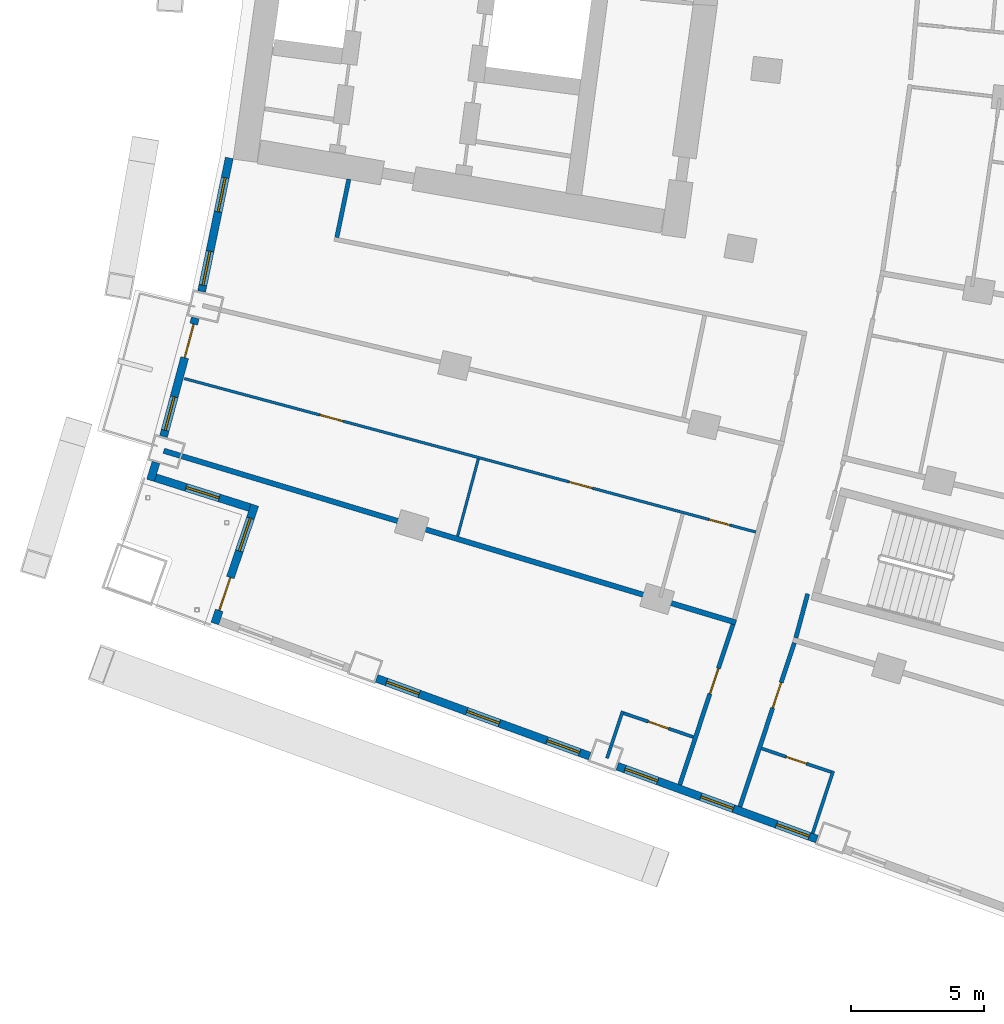
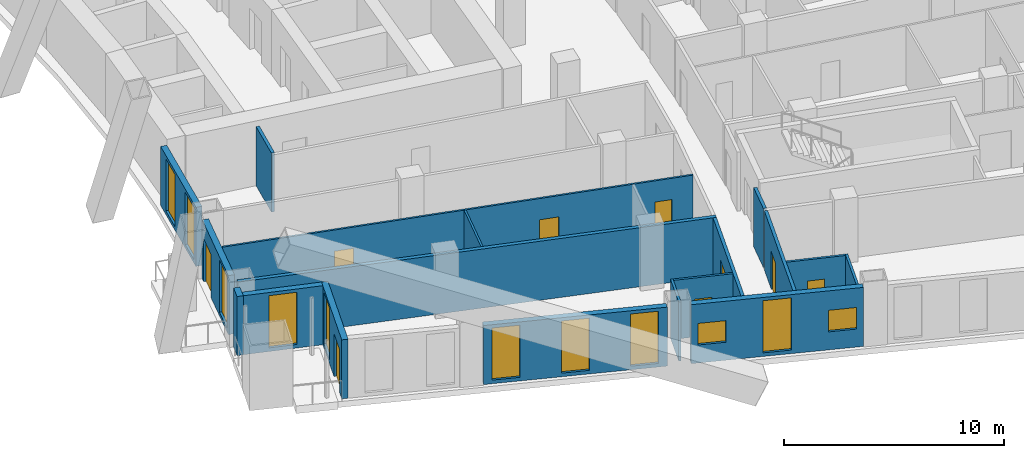
# One storey, part 13 of 25: 18 walls, 11 windows, 9 doors, 20 openings.
"""IFC4 building model written with IfcOpenShell, lengths in metres."""

import ifcopenshell
import ifcopenshell.guid

model = None  # the IFC model being written
_history = None  # IfcOwnerHistory: only IFC2X3 demands one
_inside = {}  # id of a spatial element -> (the spatial element, [elements in it])
_under = {}  # id of a project, library or spatial element -> (it, [spatial elements below it])
_declared = {}  # id of a project -> (the project, [libraries it declares])
_typed = {}  # id of a type object -> (the type object, [elements of that type])
_made_of = {}  # id of a material, layer set ... -> (it, [elements and type objects made of it])


def new_model(schema):
    """Start an empty IFC model of exactly this schema.

    Asked for "IFC4X3", IfcOpenShell would pick the latest addendum, in which some entities
    have other attributes; the version numbers below select the first issue.
    IFC2X3 requires an IfcOwnerHistory on every rooted entity: one is made here for all.
    """
    global model, _history
    if schema == "IFC4X3":
        model = ifcopenshell.file(schema_version=(4, 3, 0, 0))
    else:
        model = ifcopenshell.file(schema=schema)
    _inside.clear()
    _under.clear()
    _declared.clear()
    _typed.clear()
    _made_of.clear()
    _history = None
    if model.schema == "IFC2X3":
        org = make("IfcOrganization", Name="unknown")
        user = make(
            "IfcPersonAndOrganization",
            ThePerson=make("IfcPerson", FamilyName="unknown"),
            TheOrganization=org,
        )
        app = make(
            "IfcApplication",
            ApplicationDeveloper=org,
            Version="unknown",
            ApplicationFullName="unknown",
            ApplicationIdentifier="unknown",
        )
        _history = make(
            "IfcOwnerHistory",
            OwningUser=user,
            OwningApplication=app,
            ChangeAction="ADDED",
            CreationDate=0,
        )
    return model


def make(cls, **values):
    """One entity of the class cls with the attributes given. An attribute that is None is left unset."""
    return model.create_entity(
        cls, **{name: value for name, value in values.items() if value is not None}
    )


def rooted(cls, **values):
    """An entity with a GlobalId (a new one), such as an element, a storey or a relation."""
    return make(cls, GlobalId=ifcopenshell.guid.new(), OwnerHistory=_history, **values)


def si_unit(unit_type, name, prefix=None):
    """IfcSIUnit, for example si_unit("LENGTHUNIT", "METRE", prefix="MILLI")."""
    return make("IfcSIUnit", UnitType=unit_type, Prefix=prefix, Name=name)


def assignment(units):
    """IfcUnitAssignment: the units of a project."""
    return None if units is None else make("IfcUnitAssignment", Units=units)


def point(xyz):
    """IfcCartesianPoint."""
    return None if xyz is None else make("IfcCartesianPoint", Coordinates=xyz)


def direction(xyz):
    """IfcDirection."""
    return None if xyz is None else make("IfcDirection", DirectionRatios=xyz)


def frame(location, z_axis=None, x_axis=None):
    """IfcAxis2Placement3D, a coordinate frame: its origin and axes. An axis left out is left unset."""
    return make(
        "IfcAxis2Placement3D",
        Location=point(location),
        Axis=direction(z_axis),
        RefDirection=direction(x_axis),
    )


def frame_2d(location, x_axis=None):
    """IfcAxis2Placement2D, a coordinate frame in the plane: its origin and x axis."""
    return make(
        "IfcAxis2Placement2D", Location=point(location), RefDirection=direction(x_axis)
    )


def origin():
    """The frame at (0, 0, 0) with its axes left unset."""
    return frame((0.0, 0.0, 0.0))


def place(relative_to, where):
    """IfcLocalPlacement: puts the frame where relative to a parent placement (None: the world)."""
    return make(
        "IfcLocalPlacement", PlacementRelTo=relative_to, RelativePlacement=where
    )


def context(
    kind, dimensions, precision=None, world=None, true_north=None, identifier=None
):
    """IfcGeometricRepresentationContext, for example the 3D "Model" context."""
    return make(
        "IfcGeometricRepresentationContext",
        ContextIdentifier=identifier,
        ContextType=kind,
        CoordinateSpaceDimension=dimensions,
        Precision=precision,
        WorldCoordinateSystem=world,
        TrueNorth=true_north,
    )


def subcontext(parent, identifier, kind, view, scale=None):
    """IfcGeometricRepresentationSubContext, for example "Body" below "Model"."""
    return make(
        "IfcGeometricRepresentationSubContext",
        ContextIdentifier=identifier,
        ContextType=kind,
        ParentContext=parent,
        TargetScale=scale,
        TargetView=view,
    )


def project(units=None, contexts=None):
    """IfcProject with its units and contexts."""
    return rooted(
        "IfcProject",
        Name="project",
        RepresentationContexts=contexts,
        UnitsInContext=assignment(units),
    )


def spatial(cls, under=None, at=None, **own):
    """A site, building, storey or space (cls), placed at a placement, below another one or the project."""
    s = rooted(cls, ObjectPlacement=at, **own)
    if under is not None:
        _under.setdefault(under.id(), (under, []))[1].append(s)
    return s


def profile(cls, at=None, kind="AREA", **sizes):
    """A parametric profile (cls). Its sizes go by their IFC names, for example OverallWidth=200.0."""
    return make(cls, ProfileType=kind, Position=at, **sizes)


def rectangle(**sizes):
    """IfcRectangleProfileDef."""
    return profile("IfcRectangleProfileDef", **sizes)


def extrude(swept, where, along, depth):
    """IfcExtrudedAreaSolid: the profile swept, set in the frame where, extruded along a direction by depth."""
    return make(
        "IfcExtrudedAreaSolid",
        SweptArea=swept,
        Position=where,
        ExtrudedDirection=direction(along),
        Depth=depth,
    )


def shape(context_of_items, identifier, shape_type, items):
    """IfcShapeRepresentation: the items that make up one representation, for example the "Body"."""
    return make(
        "IfcShapeRepresentation",
        ContextOfItems=context_of_items,
        RepresentationIdentifier=identifier,
        RepresentationType=shape_type,
        Items=items,
    )


def material(Name=None, Category=None):
    """IfcMaterial."""
    return make("IfcMaterial", Name=Name, Category=Category)


def layer(
    of_material, thickness, ventilated=None, Name=None, Category=None, Priority=None
):
    """IfcMaterialLayer: one layer of a wall or slab, of a material (None: an air gap)."""
    return make(
        "IfcMaterialLayer",
        Material=of_material,
        LayerThickness=thickness,
        IsVentilated=ventilated,
        Name=Name,
        Category=Category,
        Priority=Priority,
    )


def layer_set(layers, Name=None):
    """IfcMaterialLayerSet."""
    return make("IfcMaterialLayerSet", MaterialLayers=layers, LayerSetName=Name)


def made_of(thing, what):
    """Note that an element or type object is made of a material, layer set ...; save() writes the relation."""
    if what is not None:
        _made_of.setdefault(what.id(), (what, []))[1].append(thing)
    return thing


def type_object(cls, material=None, **own):
    """A type object (cls), such as IfcWallType, which elements share."""
    return made_of(rooted(cls, **own), material)


def element(
    cls,
    number,
    at=None,
    inside=None,
    cuts=None,
    type_object=None,
    material=None,
    context=None,
    identifier="Body",
    shape_type=None,
    held_by="IfcProductDefinitionShape",
    body=None,
    shapes=None,
    **own,
):
    """One element of the class cls, such as IfcWall. Its Tag is "e" and its number.

    at: its placement. inside: the storey or other place that contains it. cuts: it is an
    opening in that element (IfcRelVoidsElement). A single representation is given by context,
    identifier, shape_type and body (its items); several are given by shapes. held_by: the class
    of the entity that holds the representations. save() writes the other relations.
    """
    e = rooted(cls, Tag="e%d" % number, ObjectPlacement=at, **own)
    if body is not None:
        shapes = [shape(context, identifier, shape_type, body)]
    if shapes is not None:
        e.Representation = make(held_by, Representations=shapes)
    if inside is not None:
        _inside.setdefault(inside.id(), (inside, []))[1].append(e)
    if cuts is not None:
        rooted(
            "IfcRelVoidsElement", RelatingBuildingElement=cuts, RelatedOpeningElement=e
        )
    if type_object is not None:
        _typed.setdefault(type_object.id(), (type_object, []))[1].append(e)
    return made_of(e, material)


def fill(opening, filler):
    """IfcRelFillsElement: the door or window that sits in an opening."""
    return rooted(
        "IfcRelFillsElement",
        RelatingOpeningElement=opening,
        RelatedBuildingElement=filler,
    )


def aggregate(whole, parts):
    """IfcRelAggregates: a whole, such as a stair, and the parts it consists of."""
    return rooted("IfcRelAggregates", RelatingObject=whole, RelatedObjects=parts)


def save(model, path):
    """Write the relations noted so far, then the file.

    IfcRelAggregates (storeys below a building ...), IfcRelContainedInSpatialStructure (elements
    in a storey), IfcRelDefinesByType, IfcRelAssociatesMaterial and IfcRelDeclares: one each for
    every whole, place, type object, material and project.
    """
    for whole, parts in _under.values():
        aggregate(whole, parts)
    for where, things in _inside.values():
        rooted(
            "IfcRelContainedInSpatialStructure",
            RelatedElements=things,
            RelatingStructure=where,
        )
    for kind, things in _typed.values():
        rooted("IfcRelDefinesByType", RelatedObjects=things, RelatingType=kind)
    for what, things in _made_of.values():
        rooted("IfcRelAssociatesMaterial", RelatedObjects=things, RelatingMaterial=what)
    for by, libraries in _declared.values():
        rooted("IfcRelDeclares", RelatingContext=by, RelatedDefinitions=libraries)
    model.write(path)


model = new_model("IFC4")

# Units and contexts
model_context = context("Model", 3, precision=1e-05, world=origin(), true_north=direction((0.0, 1.0)))
body_context = subcontext(model_context, "Body", "Model", "MODEL_VIEW")
ifc_project = project(units=[si_unit("LENGTHUNIT", "METRE"), si_unit("AREAUNIT", "SQUARE_METRE"), si_unit("VOLUMEUNIT", "CUBIC_METRE"), si_unit("PLANEANGLEUNIT", "RADIAN"), si_unit("MASSUNIT", "GRAM", prefix="KILO")], contexts=[model_context])

# Site, building, storey
site_placement = place(None, origin())
site = spatial("IfcSite", under=ifc_project, at=site_placement, CompositionType="ELEMENT")
building_placement = place(site_placement, origin())
building = spatial("IfcBuilding", under=site, at=building_placement, Name="Alderwake Tower", CompositionType="ELEMENT")
storey_placement = place(building_placement, frame((0.0, 0.0, 42.800048828125)))
storey = spatial("IfcBuildingStorey", under=building, at=storey_placement, Name="L09", CompositionType="ELEMENT", Elevation=42.800048828125)

# Wall
ifc_material_1 = material(Name="Gypsum board on metal studs, rated")
ifc_layer_1 = layer(ifc_material_1, 0.159912109375)
ifc_layer_set_1 = layer_set([ifc_layer_1], Name="Corridor wall 160")
wall_type_1 = type_object("IfcWallType", Name="Corridor wall 160", PredefinedType="PARTITIONING", material=ifc_layer_set_1)
wall_1_placement = place(storey_placement, frame((19.35888671875, 43.430908203125, 0.0), z_axis=(0.0, 0.0, 1.0), x_axis=(-0.202554916658, -0.979270905183, 0.0)))
element("IfcWall", 1, at=wall_1_placement, inside=storey, type_object=wall_type_1, Name="WL/L09/W17", PredefinedType="PARTITIONING", context=body_context, shape_type="SweptSolid", body=[
    extrude(rectangle(XDim=2.229736328125, YDim=0.159912109375, at=frame_2d((1.11474609375, 0.0))), origin(), (0.0, 0.0, 1.0), 3.280029296875),
])

# Wall, opening, door
wall_2_placement = place(storey_placement, frame((31.7548828125, 20.739013671875, 0.0), z_axis=(0.0, 0.0, 1.0), x_axis=(0.31554473692, 0.948910701279, 0.0)))
wall_2 = element("IfcWall", 2, at=wall_2_placement, inside=storey, type_object=wall_type_1, Name="WL/L09/W19", PredefinedType="PARTITIONING", context=body_context, shape_type="SweptSolid", body=[
    extrude(rectangle(XDim=6.327392578125, YDim=0.159912109375, at=frame_2d((3.16357421875, 0.0))), origin(), (0.0, 0.0, 1.0), 3.280029296875),
])
opening_1_placement = place(wall_2_placement, frame((3.59130859375, 0.0, 0.0)))
opening_1 = element("IfcOpeningElement", 3, at=opening_1_placement, cuts=wall_2, Name="Opening R02-U11.1", PredefinedType="OPENING", context=body_context, shape_type="SweptSolid", body=[
    extrude(rectangle(XDim=1.0, YDim=2.10009765625, at=frame_2d((0.5, 1.050048828125))), frame((0.0, 0.08984375, 0.0), z_axis=(0.0, -1.0, 0.0), x_axis=(1.0, 0.0, 0.0)), (0.0, 0.0, 1.0), 0.179931640625),
])
ifc_material_2 = material(Name="Solid timber leaf in steel frame", Category="steel")
door_type_1 = type_object("IfcDoorType", Name="Flat entrance door 1000 fire-rated", OperationType="SINGLE_SWING_LEFT", PredefinedType="DOOR", material=ifc_material_2)
door_1_placement = place(opening_1_placement, origin())
door_1 = element("IfcDoor", 4, at=door_1_placement, inside=storey, type_object=door_type_1, Name="DR/L09/U11.1", OperationType="SINGLE_SWING_LEFT", OverallHeight=2.10009765625, OverallWidth=1.0, PredefinedType="DOOR", context=body_context, shape_type="SweptSolid", body=[
    extrude(rectangle(XDim=1.0, YDim=2.10009765625, at=frame_2d((0.5, 1.050048828125))), frame((0.0, 0.02490234375, 0.0), z_axis=(0.0, -1.0, 0.0), x_axis=(1.0, 0.0, 0.0)), (0.0, 0.0, 1.0), 0.050048828125),
])
fill(opening_1, door_1)

wall_3_placement = place(storey_placement, frame((36.049560546875, 26.052978515625, 0.0), z_axis=(0.0, 0.0, 1.0), x_axis=(-0.315151894598, -0.949041244273, 0.0)))
wall_3 = element("IfcWall", 5, at=wall_3_placement, inside=storey, type_object=wall_type_1, Name="WL/L09/W22", PredefinedType="PARTITIONING", context=body_context, shape_type="SweptSolid", body=[
    extrude(rectangle(XDim=6.468505859375, YDim=0.159912109375, at=frame_2d((3.234375, 0.0))), origin(), (0.0, 0.0, 1.0), 3.280029296875),
])
opening_2_placement = place(wall_3_placement, frame((1.570068359375, 0.0, 0.0)))
opening_2 = element("IfcOpeningElement", 6, at=opening_2_placement, cuts=wall_3, Name="Opening R02-U03.1", PredefinedType="OPENING", context=body_context, shape_type="SweptSolid", body=[
    extrude(rectangle(XDim=1.0, YDim=2.10009765625, at=frame_2d((0.5, 1.050048828125))), frame((0.0, 0.08984375, 0.0), z_axis=(0.0, -1.0, 0.0), x_axis=(1.0, 0.0, 0.0)), (0.0, 0.0, 1.0), 0.179931640625),
])
door_2_placement = place(opening_2_placement, origin())
door_2 = element("IfcDoor", 7, at=door_2_placement, inside=storey, type_object=door_type_1, Name="DR/L09/U03.1", OperationType="SINGLE_SWING_LEFT", OverallHeight=2.10009765625, OverallWidth=1.0, PredefinedType="DOOR", context=body_context, shape_type="SweptSolid", body=[
    extrude(rectangle(XDim=1.0, YDim=2.10009765625, at=frame_2d((0.5, 1.050048828125))), frame((0.0, 0.02490234375, 0.0), z_axis=(0.0, -1.0, 0.0), x_axis=(1.0, 0.0, 0.0)), (0.0, 0.0, 1.0), 0.050048828125),
])
fill(opening_2, door_2)

# Walls
wall_4_placement = place(storey_placement, frame((36.10693359375, 26.24462890625, 0.0), z_axis=(0.0, 0.0, 1.0), x_axis=(0.259346865847, 0.965784242559, 0.0)))
element("IfcWall", 8, at=wall_4_placement, inside=storey, type_object=wall_type_1, Name="WL/L09/W25", PredefinedType="PARTITIONING", context=body_context, shape_type="SweptSolid", body=[
    extrude(rectangle(XDim=1.704833984375, YDim=0.159912109375, at=frame_2d((0.8525390625, 0.0))), origin(), (0.0, 0.0, 1.0), 3.280029296875),
])
ifc_material_3 = material(Name="Precast concrete C50/60 spandrel panel", Category="concrete")
ifc_layer_2 = layer(ifc_material_3, 0.300048828125)
ifc_layer_set_2 = layer_set([ifc_layer_2], Name="External wall EW1 Precast concrete C50/60 spandrel")
wall_type_2 = type_object("IfcWallType", Name="External wall EW1 Precast concrete C50/60 spandrel", PredefinedType="SOLIDWALL", material=ifc_layer_set_2)
wall_5_placement = place(storey_placement, frame((12.1328125, 32.814453125, 0.0), z_axis=(0.0, 0.0, 1.0), x_axis=(-0.294671831364, -0.955598509731, 0.0)))
element("IfcWall", 9, at=wall_5_placement, inside=storey, type_object=wall_type_2, Name="External wall 1", PredefinedType="SOLIDWALL", context=body_context, shape_type="SweptSolid", body=[
    extrude(rectangle(XDim=0.70263671875, YDim=0.300048828125, at=frame_2d((0.351318359375, 0.0))), origin(), (0.0, 0.0, 1.0), 3.280029296875),
])

# Wall, openings, windows
wall_6_placement = place(storey_placement, frame((14.878173828125, 44.223388671875, 0.0), z_axis=(0.0, 0.0, 1.0), x_axis=(-0.202738354746, -0.979232944459, 0.0)))
wall_6 = element("IfcWall", 10, at=wall_6_placement, inside=storey, type_object=wall_type_2, Name="External wall 35", PredefinedType="SOLIDWALL", context=body_context, shape_type="SweptSolid", body=[
    extrude(rectangle(XDim=5.1083984375, YDim=0.300048828125, at=frame_2d((2.55419921875, 0.0))), origin(), (0.0, 0.0, 1.0), 3.280029296875),
])
opening_3_placement = place(wall_6_placement, frame((0.75634765625, 0.0, 0.199951171875)))
opening_3 = element("IfcOpeningElement", 11, at=opening_3_placement, cuts=wall_6, Name="Opening W1", PredefinedType="OPENING", context=body_context, shape_type="SweptSolid", body=[
    extrude(rectangle(XDim=1.300048828125, YDim=2.89990234375, at=frame_2d((0.64990234375, 1.449951171875))), frame((0.0, 0.159912109375, 0.0), z_axis=(0.0, -1.0, 0.0), x_axis=(1.0, 0.0, 0.0)), (0.0, 0.0, 1.0), 0.320068359375),
])
opening_4_placement = place(wall_6_placement, frame((3.569091796875, 0.0, 0.199951171875)))
opening_4 = element("IfcOpeningElement", 12, at=opening_4_placement, cuts=wall_6, Name="Opening W1", PredefinedType="OPENING", context=body_context, shape_type="SweptSolid", body=[
    extrude(rectangle(XDim=1.300048828125, YDim=2.89990234375, at=frame_2d((0.64990234375, 1.449951171875))), frame((0.0, 0.159912109375, 0.0), z_axis=(0.0, -1.0, 0.0), x_axis=(1.0, 0.0, 0.0)), (0.0, 0.0, 1.0), 0.320068359375),
])
ifc_material_4 = material(Name="Bronze tinted glass in aluminium frame", Category="aluminium")
window_type_1 = type_object("IfcWindowType", Name="Window W1 tall fixed and vent", PartitioningType="DOUBLE_PANEL_VERTICAL", PredefinedType="WINDOW", material=ifc_material_4)
window_1_placement = place(opening_3_placement, origin())
window_1 = element("IfcWindow", 13, at=window_1_placement, inside=storey, type_object=window_type_1, Name="Window W1 tall fixed and vent", OverallHeight=2.89990234375, OverallWidth=1.300048828125, PartitioningType="DOUBLE_PANEL_VERTICAL", PredefinedType="WINDOW", context=body_context, shape_type="SweptSolid", body=[
    extrude(rectangle(XDim=1.300048828125, YDim=2.89990234375, at=frame_2d((0.64990234375, 1.449951171875))), frame((0.0, 0.030029296875, 0.0), z_axis=(0.0, -1.0, 0.0), x_axis=(1.0, 0.0, 0.0)), (0.0, 0.0, 1.0), 0.06005859375),
])
fill(opening_3, window_1)
window_2_placement = place(opening_4_placement, origin())
window_2 = element("IfcWindow", 14, at=window_2_placement, inside=storey, type_object=window_type_1, Name="Window W1 tall fixed and vent", OverallHeight=2.89990234375, OverallWidth=1.300048828125, PartitioningType="DOUBLE_PANEL_VERTICAL", PredefinedType="WINDOW", context=body_context, shape_type="SweptSolid", body=[
    extrude(rectangle(XDim=1.300048828125, YDim=2.89990234375, at=frame_2d((0.64990234375, 1.449951171875))), frame((0.0, 0.030029296875, 0.0), z_axis=(0.0, -1.0, 0.0), x_axis=(1.0, 0.0, 0.0)), (0.0, 0.0, 1.0), 0.06005859375),
])
fill(opening_4, window_2)

# Wall, openings, door, window
wall_7_placement = place(storey_placement, frame((13.606689453125, 38.229248046875, 0.0), z_axis=(0.0, 0.0, 1.0), x_axis=(-0.259495671332, -0.965744270788, 0.0)))
wall_7 = element("IfcWall", 15, at=wall_7_placement, inside=storey, type_object=wall_type_2, Name="External wall 36", PredefinedType="SOLIDWALL", context=body_context, shape_type="SweptSolid", body=[
    extrude(rectangle(XDim=4.599609375, YDim=0.300048828125, at=frame_2d((2.2998046875, 0.0))), origin(), (0.0, 0.0, 1.0), 3.280029296875),
])
opening_5_placement = place(wall_7_placement, frame((0.2412109375, 0.0, 0.0)))
opening_5 = element("IfcOpeningElement", 16, at=opening_5_placement, cuts=wall_7, Name="Opening D16", PredefinedType="OPENING", context=body_context, shape_type="SweptSolid", body=[
    extrude(rectangle(XDim=1.300048828125, YDim=2.39990234375, at=frame_2d((0.64990234375, 1.199951171875))), frame((0.0, 0.159912109375, 0.0), z_axis=(0.0, -1.0, 0.0), x_axis=(1.0, 0.0, 0.0)), (0.0, 0.0, 1.0), 0.320068359375),
])
opening_6_placement = place(wall_7_placement, frame((3.058349609375, 0.0, 0.199951171875)))
opening_6 = element("IfcOpeningElement", 17, at=opening_6_placement, cuts=wall_7, Name="Opening W1", PredefinedType="OPENING", context=body_context, shape_type="SweptSolid", body=[
    extrude(rectangle(XDim=1.300048828125, YDim=2.89990234375, at=frame_2d((0.64990234375, 1.449951171875))), frame((0.0, 0.159912109375, 0.0), z_axis=(0.0, -1.0, 0.0), x_axis=(1.0, 0.0, 0.0)), (0.0, 0.0, 1.0), 0.320068359375),
])
ifc_material_5 = material(Name="Bronze tinted glass in aluminium frame", Category="aluminium")
door_type_2 = type_object("IfcDoorType", Name="Balcony door BD sliding", OperationType="SLIDING_TO_LEFT", PredefinedType="DOOR", material=ifc_material_5)
door_3_placement = place(opening_5_placement, origin())
door_3 = element("IfcDoor", 18, at=door_3_placement, inside=storey, type_object=door_type_2, Name="Door D16", OperationType="SLIDING_TO_LEFT", OverallHeight=2.39990234375, OverallWidth=1.300048828125, PredefinedType="DOOR", context=body_context, shape_type="SweptSolid", body=[
    extrude(rectangle(XDim=1.300048828125, YDim=2.39990234375, at=frame_2d((0.64990234375, 1.199951171875))), frame((0.0, 0.02490234375, 0.0), z_axis=(0.0, -1.0, 0.0), x_axis=(1.0, 0.0, 0.0)), (0.0, 0.0, 1.0), 0.050048828125),
])
fill(opening_5, door_3)
window_3_placement = place(opening_6_placement, origin())
window_3 = element("IfcWindow", 19, at=window_3_placement, inside=storey, type_object=window_type_1, Name="Window W1 tall fixed and vent", OverallHeight=2.89990234375, OverallWidth=1.300048828125, PartitioningType="DOUBLE_PANEL_VERTICAL", PredefinedType="WINDOW", context=body_context, shape_type="SweptSolid", body=[
    extrude(rectangle(XDim=1.300048828125, YDim=2.89990234375, at=frame_2d((0.64990234375, 1.449951171875))), frame((0.0, 0.030029296875, 0.0), z_axis=(0.0, -1.0, 0.0), x_axis=(1.0, 0.0, 0.0)), (0.0, 0.0, 1.0), 0.06005859375),
])
fill(opening_6, window_3)

# Wall, opening, window
ifc_material_6 = material(Name="Bronze metal cladding on lightweight framing")
ifc_layer_3 = layer(ifc_material_6, 0.300048828125)
ifc_layer_set_3 = layer_set([ifc_layer_3], Name="External wall EW2 bronze metal cladding")
wall_type_3 = type_object("IfcWallType", Name="External wall EW2 bronze metal cladding", PredefinedType="SOLIDWALL", material=ifc_layer_set_3)
wall_8_placement = place(storey_placement, frame((12.113037109375, 32.2412109375, 0.0), z_axis=(0.0, 0.0, 1.0), x_axis=(0.953458128271, -0.301525451054, 0.0)))
wall_8 = element("IfcWall", 20, at=wall_8_placement, inside=storey, type_object=wall_type_3, Name="External wall 2", PredefinedType="SOLIDWALL", context=body_context, shape_type="SweptSolid", body=[
    extrude(rectangle(XDim=3.705810546875, YDim=0.300048828125, at=frame_2d((1.85302734375, 0.0))), origin(), (0.0, 0.0, 1.0), 3.280029296875),
])
opening_7_placement = place(wall_8_placement, frame((1.202880859375, 0.0, 0.199951171875)))
opening_7 = element("IfcOpeningElement", 21, at=opening_7_placement, cuts=wall_8, Name="Opening W1", PredefinedType="OPENING", context=body_context, shape_type="SweptSolid", body=[
    extrude(rectangle(XDim=1.300048828125, YDim=2.89990234375, at=frame_2d((0.64990234375, 1.449951171875))), frame((0.0, 0.159912109375, 0.0), z_axis=(0.0, -1.0, 0.0), x_axis=(1.0, 0.0, 0.0)), (0.0, 0.0, 1.0), 0.320068359375),
])
window_4_placement = place(opening_7_placement, origin())
window_4 = element("IfcWindow", 22, at=window_4_placement, inside=storey, type_object=window_type_1, Name="Window W1 tall fixed and vent", OverallHeight=2.89990234375, OverallWidth=1.300048828125, PartitioningType="DOUBLE_PANEL_VERTICAL", PredefinedType="WINDOW", context=body_context, shape_type="SweptSolid", body=[
    extrude(rectangle(XDim=1.300048828125, YDim=2.89990234375, at=frame_2d((0.64990234375, 1.449951171875))), frame((0.0, 0.030029296875, 0.0), z_axis=(0.0, -1.0, 0.0), x_axis=(1.0, 0.0, 0.0)), (0.0, 0.0, 1.0), 0.06005859375),
])
fill(opening_7, window_4)

# Wall, openings, door, window
wall_9_placement = place(storey_placement, frame((15.83740234375, 31.220703125, 0.0), z_axis=(0.0, 0.0, 1.0), x_axis=(-0.32041006121, -0.947278941324, 0.0)))
wall_9 = element("IfcWall", 23, at=wall_9_placement, inside=storey, type_object=wall_type_3, Name="External wall 3", PredefinedType="SOLIDWALL", context=body_context, shape_type="SweptSolid", body=[
    extrude(rectangle(XDim=4.68994140625, YDim=0.300048828125, at=frame_2d((2.344970703125, 0.0))), origin(), (0.0, 0.0, 1.0), 3.280029296875),
])
opening_8_placement = place(wall_9_placement, frame((0.5224609375, 0.0, 0.199951171875)))
opening_8 = element("IfcOpeningElement", 24, at=opening_8_placement, cuts=wall_9, Name="Opening W1", PredefinedType="OPENING", context=body_context, shape_type="SweptSolid", body=[
    extrude(rectangle(XDim=1.300048828125, YDim=2.89990234375, at=frame_2d((0.64990234375, 1.449951171875))), frame((0.0, 0.159912109375, 0.0), z_axis=(0.0, -1.0, 0.0), x_axis=(1.0, 0.0, 0.0)), (0.0, 0.0, 1.0), 0.320068359375),
])
opening_9_placement = place(wall_9_placement, frame((2.867431640625, 0.0, 0.0)))
opening_9 = element("IfcOpeningElement", 25, at=opening_9_placement, cuts=wall_9, Name="Opening D01", PredefinedType="OPENING", context=body_context, shape_type="SweptSolid", body=[
    extrude(rectangle(XDim=1.300048828125, YDim=2.39990234375, at=frame_2d((0.64990234375, 1.199951171875))), frame((0.0, 0.159912109375, 0.0), z_axis=(0.0, -1.0, 0.0), x_axis=(1.0, 0.0, 0.0)), (0.0, 0.0, 1.0), 0.320068359375),
])
door_4_placement = place(opening_9_placement, origin())
door_4 = element("IfcDoor", 26, at=door_4_placement, inside=storey, type_object=door_type_2, Name="Door D01", OperationType="SLIDING_TO_LEFT", OverallHeight=2.39990234375, OverallWidth=1.300048828125, PredefinedType="DOOR", context=body_context, shape_type="SweptSolid", body=[
    extrude(rectangle(XDim=1.300048828125, YDim=2.39990234375, at=frame_2d((0.64990234375, 1.199951171875))), frame((0.0, 0.02490234375, 0.0), z_axis=(0.0, -1.0, 0.0), x_axis=(1.0, 0.0, 0.0)), (0.0, 0.0, 1.0), 0.050048828125),
])
fill(opening_9, door_4)
window_5_placement = place(opening_8_placement, origin())
window_5 = element("IfcWindow", 27, at=window_5_placement, inside=storey, type_object=window_type_1, Name="Window W1 tall fixed and vent", OverallHeight=2.89990234375, OverallWidth=1.300048828125, PartitioningType="DOUBLE_PANEL_VERTICAL", PredefinedType="WINDOW", context=body_context, shape_type="SweptSolid", body=[
    extrude(rectangle(XDim=1.300048828125, YDim=2.89990234375, at=frame_2d((0.64990234375, 1.449951171875))), frame((0.0, 0.030029296875, 0.0), z_axis=(0.0, -1.0, 0.0), x_axis=(1.0, 0.0, 0.0)), (0.0, 0.0, 1.0), 0.06005859375),
])
fill(opening_8, window_5)

# Wall, openings, windows
wall_10_placement = place(storey_placement, frame((20.398681640625, 24.72412109375, 0.0), z_axis=(0.0, 0.0, 1.0), x_axis=(0.939369809957, -0.342905759856, 0.0)))
wall_10 = element("IfcWall", 28, at=wall_10_placement, inside=storey, type_object=wall_type_3, Name="External wall 5", PredefinedType="SOLIDWALL", context=body_context, shape_type="SweptSolid", body=[
    extrude(rectangle(XDim=8.495361328125, YDim=0.300048828125, at=frame_2d((4.24755859375, 0.0))), origin(), (0.0, 0.0, 1.0), 3.280029296875),
])
opening_10_placement = place(wall_10_placement, frame((0.3974609375, 0.0, 0.199951171875)))
opening_10 = element("IfcOpeningElement", 29, at=opening_10_placement, cuts=wall_10, Name="Opening W1", PredefinedType="OPENING", context=body_context, shape_type="SweptSolid", body=[
    extrude(rectangle(XDim=1.300048828125, YDim=2.89990234375, at=frame_2d((0.64990234375, 1.449951171875))), frame((0.0, 0.159912109375, 0.0), z_axis=(0.0, -1.0, 0.0), x_axis=(1.0, 0.0, 0.0)), (0.0, 0.0, 1.0), 0.320068359375),
])
opening_11_placement = place(wall_10_placement, frame((3.597412109375, 0.0, 0.199951171875)))
opening_11 = element("IfcOpeningElement", 30, at=opening_11_placement, cuts=wall_10, Name="Opening W1", PredefinedType="OPENING", context=body_context, shape_type="SweptSolid", body=[
    extrude(rectangle(XDim=1.300048828125, YDim=2.89990234375, at=frame_2d((0.64990234375, 1.449951171875))), frame((0.0, 0.159912109375, 0.0), z_axis=(0.0, -1.0, 0.0), x_axis=(1.0, 0.0, 0.0)), (0.0, 0.0, 1.0), 0.320068359375),
])
opening_12_placement = place(wall_10_placement, frame((6.797607421875, 0.0, 0.199951171875)))
opening_12 = element("IfcOpeningElement", 31, at=opening_12_placement, cuts=wall_10, Name="Opening W1", PredefinedType="OPENING", context=body_context, shape_type="SweptSolid", body=[
    extrude(rectangle(XDim=1.300048828125, YDim=2.89990234375, at=frame_2d((0.64990234375, 1.449951171875))), frame((0.0, 0.159912109375, 0.0), z_axis=(0.0, -1.0, 0.0), x_axis=(1.0, 0.0, 0.0)), (0.0, 0.0, 1.0), 0.320068359375),
])
window_6_placement = place(opening_10_placement, origin())
window_6 = element("IfcWindow", 32, at=window_6_placement, inside=storey, type_object=window_type_1, Name="Window W1 tall fixed and vent", OverallHeight=2.89990234375, OverallWidth=1.300048828125, PartitioningType="DOUBLE_PANEL_VERTICAL", PredefinedType="WINDOW", context=body_context, shape_type="SweptSolid", body=[
    extrude(rectangle(XDim=1.300048828125, YDim=2.89990234375, at=frame_2d((0.64990234375, 1.449951171875))), frame((0.0, 0.030029296875, 0.0), z_axis=(0.0, -1.0, 0.0), x_axis=(1.0, 0.0, 0.0)), (0.0, 0.0, 1.0), 0.06005859375),
])
fill(opening_10, window_6)
window_7_placement = place(opening_11_placement, origin())
window_7 = element("IfcWindow", 33, at=window_7_placement, inside=storey, type_object=window_type_1, Name="Window W1 tall fixed and vent", OverallHeight=2.89990234375, OverallWidth=1.300048828125, PartitioningType="DOUBLE_PANEL_VERTICAL", PredefinedType="WINDOW", context=body_context, shape_type="SweptSolid", body=[
    extrude(rectangle(XDim=1.300048828125, YDim=2.89990234375, at=frame_2d((0.64990234375, 1.449951171875))), frame((0.0, 0.030029296875, 0.0), z_axis=(0.0, -1.0, 0.0), x_axis=(1.0, 0.0, 0.0)), (0.0, 0.0, 1.0), 0.06005859375),
])
fill(opening_11, window_7)
window_8_placement = place(opening_12_placement, origin())
window_8 = element("IfcWindow", 34, at=window_8_placement, inside=storey, type_object=window_type_1, Name="Window W1 tall fixed and vent", OverallHeight=2.89990234375, OverallWidth=1.300048828125, PartitioningType="DOUBLE_PANEL_VERTICAL", PredefinedType="WINDOW", context=body_context, shape_type="SweptSolid", body=[
    extrude(rectangle(XDim=1.300048828125, YDim=2.89990234375, at=frame_2d((0.64990234375, 1.449951171875))), frame((0.0, 0.030029296875, 0.0), z_axis=(0.0, -1.0, 0.0), x_axis=(1.0, 0.0, 0.0)), (0.0, 0.0, 1.0), 0.06005859375),
])
fill(opening_12, window_8)

wall_11_placement = place(storey_placement, frame((29.416748046875, 21.432373046875, 0.0), z_axis=(0.0, 0.0, 1.0), x_axis=(0.93937644601, -0.342887580237, 0.0)))
wall_11 = element("IfcWall", 35, at=wall_11_placement, inside=storey, type_object=wall_type_3, Name="External wall 6", PredefinedType="SOLIDWALL", context=body_context, shape_type="SweptSolid", body=[
    extrude(rectangle(XDim=7.96240234375, YDim=0.300048828125, at=frame_2d((3.981201171875, 0.0))), origin(), (0.0, 0.0, 1.0), 3.280029296875),
])
opening_13_placement = place(wall_11_placement, frame((0.308837890625, 0.0, 1.0)))
opening_13 = element("IfcOpeningElement", 36, at=opening_13_placement, cuts=wall_11, Name="Opening W2", PredefinedType="OPENING", context=body_context, shape_type="SweptSolid", body=[
    extrude(rectangle(XDim=1.300048828125, YDim=1.199951171875, at=frame_2d((0.64990234375, 0.60009765625))), frame((0.0, 0.159912109375, 0.0), z_axis=(0.0, -1.0, 0.0), x_axis=(1.0, 0.0, 0.0)), (0.0, 0.0, 1.0), 0.320068359375),
])
opening_14_placement = place(wall_11_placement, frame((3.3310546875, 0.0, 0.199951171875)))
opening_14 = element("IfcOpeningElement", 37, at=opening_14_placement, cuts=wall_11, Name="Opening W1", PredefinedType="OPENING", context=body_context, shape_type="SweptSolid", body=[
    extrude(rectangle(XDim=1.300048828125, YDim=2.89990234375, at=frame_2d((0.64990234375, 1.449951171875))), frame((0.0, 0.159912109375, 0.0), z_axis=(0.0, -1.0, 0.0), x_axis=(1.0, 0.0, 0.0)), (0.0, 0.0, 1.0), 0.320068359375),
])
opening_15_placement = place(wall_11_placement, frame((6.353515625, 0.0, 1.0)))
opening_15 = element("IfcOpeningElement", 38, at=opening_15_placement, cuts=wall_11, Name="Opening W2", PredefinedType="OPENING", context=body_context, shape_type="SweptSolid", body=[
    extrude(rectangle(XDim=1.300048828125, YDim=1.199951171875, at=frame_2d((0.64990234375, 0.60009765625))), frame((0.0, 0.159912109375, 0.0), z_axis=(0.0, -1.0, 0.0), x_axis=(1.0, 0.0, 0.0)), (0.0, 0.0, 1.0), 0.320068359375),
])
window_9_placement = place(opening_14_placement, origin())
window_9 = element("IfcWindow", 39, at=window_9_placement, inside=storey, type_object=window_type_1, Name="Window W1 tall fixed and vent", OverallHeight=2.89990234375, OverallWidth=1.300048828125, PartitioningType="DOUBLE_PANEL_VERTICAL", PredefinedType="WINDOW", context=body_context, shape_type="SweptSolid", body=[
    extrude(rectangle(XDim=1.300048828125, YDim=2.89990234375, at=frame_2d((0.64990234375, 1.449951171875))), frame((0.0, 0.030029296875, 0.0), z_axis=(0.0, -1.0, 0.0), x_axis=(1.0, 0.0, 0.0)), (0.0, 0.0, 1.0), 0.06005859375),
])
fill(opening_14, window_9)
ifc_material_7 = material(Name="Bronze tinted glass in aluminium frame", Category="aluminium")
window_type_2 = type_object("IfcWindowType", Name="Window W2 kitchen and bath", PartitioningType="SINGLE_PANEL", PredefinedType="WINDOW", material=ifc_material_7)
window_10_placement = place(opening_13_placement, origin())
window_10 = element("IfcWindow", 40, at=window_10_placement, inside=storey, type_object=window_type_2, Name="Window W2 kitchen and bath", OverallHeight=1.199951171875, OverallWidth=1.300048828125, PartitioningType="SINGLE_PANEL", PredefinedType="WINDOW", context=body_context, shape_type="SweptSolid", body=[
    extrude(rectangle(XDim=1.300048828125, YDim=1.199951171875, at=frame_2d((0.64990234375, 0.60009765625))), frame((0.0, 0.030029296875, 0.0), z_axis=(0.0, -1.0, 0.0), x_axis=(1.0, 0.0, 0.0)), (0.0, 0.0, 1.0), 0.06005859375),
])
fill(opening_13, window_10)
window_11_placement = place(opening_15_placement, origin())
window_11 = element("IfcWindow", 41, at=window_11_placement, inside=storey, type_object=window_type_2, Name="Window W2 kitchen and bath", OverallHeight=1.199951171875, OverallWidth=1.300048828125, PartitioningType="SINGLE_PANEL", PredefinedType="WINDOW", context=body_context, shape_type="SweptSolid", body=[
    extrude(rectangle(XDim=1.300048828125, YDim=1.199951171875, at=frame_2d((0.64990234375, 0.60009765625))), frame((0.0, 0.030029296875, 0.0), z_axis=(0.0, -1.0, 0.0), x_axis=(1.0, 0.0, 0.0)), (0.0, 0.0, 1.0), 0.06005859375),
])
fill(opening_15, window_11)

# Wall
ifc_material_8 = material(Name="Dense block masonry wall", Category="masonry")
ifc_layer_4 = layer(ifc_material_8, 0.199951171875)
ifc_layer_set_4 = layer_set([ifc_layer_4], Name="Party wall 200")
wall_type_4 = type_object("IfcWallType", Name="Party wall 200", PredefinedType="SOLIDWALL", material=ifc_layer_set_4)
wall_12_placement = place(storey_placement, frame((33.859619140625, 26.81494140625, 0.0), z_axis=(0.0, 0.0, 1.0), x_axis=(-0.95775179957, 0.287596054251, 0.0)))
element("IfcWall", 42, at=wall_12_placement, inside=storey, type_object=wall_type_4, Name="WL/L09/W02", PredefinedType="SOLIDWALL", context=body_context, shape_type="SweptSolid", body=[
    extrude(rectangle(XDim=22.382080078125, YDim=0.199951171875, at=frame_2d((11.19091796875, 0.0))), origin(), (0.0, 0.0, 1.0), 3.280029296875),
])

# Wall, openings, doors
ifc_material_9 = material(Name="Gypsum board on metal studs")
ifc_layer_5 = layer(ifc_material_9, 0.10009765625)
ifc_layer_set_5 = layer_set([ifc_layer_5], Name="Unit partition 100")
wall_type_5 = type_object("IfcWallType", Name="Unit partition 100", PredefinedType="PARTITIONING", material=ifc_layer_set_5)
wall_13_placement = place(storey_placement, frame((34.605712890625, 30.206787109375, 0.0), z_axis=(0.0, 0.0, 1.0), x_axis=(-0.965767846078, 0.259407917152, 0.0)))
wall_13 = element("IfcWall", 43, at=wall_13_placement, inside=storey, type_object=wall_type_5, Name="WL/L09/W63", PredefinedType="PARTITIONING", context=body_context, shape_type="SweptSolid", body=[
    extrude(rectangle(XDim=22.170654296875, YDim=0.10009765625, at=frame_2d((11.08544921875, 0.0))), origin(), (0.0, 0.0, 1.0), 3.280029296875),
])
opening_16_placement = place(wall_13_placement, frame((6.335205078125, 0.0, 0.0)))
opening_16 = element("IfcOpeningElement", 44, at=opening_16_placement, cuts=wall_13, Name="Opening R02-U12.1", PredefinedType="OPENING", context=body_context, shape_type="SweptSolid", body=[
    extrude(rectangle(XDim=0.89990234375, YDim=2.10009765625, at=frame_2d((0.449951171875, 1.050048828125))), frame((0.0, 0.06005859375, 0.0), z_axis=(0.0, -1.0, 0.0), x_axis=(1.0, 0.0, 0.0)), (0.0, 0.0, 1.0), 0.1201171875),
])
opening_17_placement = place(wall_13_placement, frame((1.010009765625, 0.0, 0.0)))
opening_17 = element("IfcOpeningElement", 45, at=opening_17_placement, cuts=wall_13, Name="Opening R02-U12.3", PredefinedType="OPENING", context=body_context, shape_type="SweptSolid", body=[
    extrude(rectangle(XDim=0.800048828125, YDim=2.10009765625, at=frame_2d((0.39990234375, 1.050048828125))), frame((0.0, 0.06005859375, 0.0), z_axis=(0.0, -1.0, 0.0), x_axis=(1.0, 0.0, 0.0)), (0.0, 0.0, 1.0), 0.1201171875),
])
opening_18_placement = place(wall_13_placement, frame((16.010498046875, 0.0, 0.0)))
opening_18 = element("IfcOpeningElement", 46, at=opening_18_placement, cuts=wall_13, Name="Opening R02-U12.4", PredefinedType="OPENING", context=body_context, shape_type="SweptSolid", body=[
    extrude(rectangle(XDim=0.89990234375, YDim=2.10009765625, at=frame_2d((0.449951171875, 1.050048828125))), frame((0.0, 0.06005859375, 0.0), z_axis=(0.0, -1.0, 0.0), x_axis=(1.0, 0.0, 0.0)), (0.0, 0.0, 1.0), 0.1201171875),
])
ifc_material_10 = material(Name="Painted timber leaf", Category="wood")
door_type_3 = type_object("IfcDoorType", Name="Bathroom door 800", OperationType="SINGLE_SWING_LEFT", PredefinedType="DOOR", material=ifc_material_10)
door_5_placement = place(opening_17_placement, origin())
door_5 = element("IfcDoor", 47, at=door_5_placement, inside=storey, type_object=door_type_3, Name="DR/L09/U12.3", OperationType="SINGLE_SWING_LEFT", OverallHeight=2.10009765625, OverallWidth=0.800048828125, PredefinedType="DOOR", context=body_context, shape_type="SweptSolid", body=[
    extrude(rectangle(XDim=0.800048828125, YDim=2.10009765625, at=frame_2d((0.39990234375, 1.050048828125))), frame((0.0, 0.02490234375, 0.0), z_axis=(0.0, -1.0, 0.0), x_axis=(1.0, 0.0, 0.0)), (0.0, 0.0, 1.0), 0.050048828125),
])
fill(opening_17, door_5)
ifc_material_11 = material(Name="Painted timber leaf", Category="wood")
door_type_4 = type_object("IfcDoorType", Name="Room door 900", OperationType="SINGLE_SWING_LEFT", PredefinedType="DOOR", material=ifc_material_11)
door_6_placement = place(opening_16_placement, origin())
door_6 = element("IfcDoor", 48, at=door_6_placement, inside=storey, type_object=door_type_4, Name="DR/L09/U12.1", OperationType="SINGLE_SWING_LEFT", OverallHeight=2.10009765625, OverallWidth=0.89990234375, PredefinedType="DOOR", context=body_context, shape_type="SweptSolid", body=[
    extrude(rectangle(XDim=0.89990234375, YDim=2.10009765625, at=frame_2d((0.449951171875, 1.050048828125))), frame((0.0, 0.02490234375, 0.0), z_axis=(0.0, -1.0, 0.0), x_axis=(1.0, 0.0, 0.0)), (0.0, 0.0, 1.0), 0.050048828125),
])
fill(opening_16, door_6)
door_7_placement = place(opening_18_placement, origin())
door_7 = element("IfcDoor", 49, at=door_7_placement, inside=storey, type_object=door_type_4, Name="DR/L09/U12.4", OperationType="SINGLE_SWING_LEFT", OverallHeight=2.10009765625, OverallWidth=0.89990234375, PredefinedType="DOOR", context=body_context, shape_type="SweptSolid", body=[
    extrude(rectangle(XDim=0.89990234375, YDim=2.10009765625, at=frame_2d((0.449951171875, 1.050048828125))), frame((0.0, 0.02490234375, 0.0), z_axis=(0.0, -1.0, 0.0), x_axis=(1.0, 0.0, 0.0)), (0.0, 0.0, 1.0), 0.050048828125),
])
fill(opening_18, door_7)

# Walls
wall_14_placement = place(storey_placement, frame((24.208984375, 32.94580078125, 0.0), z_axis=(0.0, 0.0, 1.0), x_axis=(-0.259310212645, -0.965794084481, 0.0)))
element("IfcWall", 50, at=wall_14_placement, inside=storey, type_object=wall_type_5, Name="WL/L09/W65", PredefinedType="PARTITIONING", context=body_context, shape_type="SweptSolid", body=[
    extrude(rectangle(XDim=2.996826171875, YDim=0.10009765625, at=frame_2d((1.49853515625, 0.0))), origin(), (0.0, 0.0, 1.0), 3.280029296875),
])
ifc_material_12 = material(Name="Moisture resistant gypsum board on metal studs")
ifc_layer_6 = layer(ifc_material_12, 0.1201171875)
ifc_layer_set_6 = layer_set([ifc_layer_6], Name="Wet room partition 120")
wall_type_6 = type_object("IfcWallType", Name="Wet room partition 120", PredefinedType="PARTITIONING", material=ifc_layer_set_6)
wall_15_placement = place(storey_placement, frame((29.616943359375, 23.495849609375, 0.0), z_axis=(0.0, 0.0, 1.0), x_axis=(-0.315242462823, -0.949011164125, 0.0)))
element("IfcWall", 51, at=wall_15_placement, inside=storey, type_object=wall_type_6, Name="WL/L09/W42", PredefinedType="PARTITIONING", context=body_context, shape_type="SweptSolid", body=[
    extrude(rectangle(XDim=1.858642578125, YDim=0.1201171875, at=frame_2d((0.92919921875, 0.0))), origin(), (0.0, 0.0, 1.0), 3.280029296875),
])

# Wall, opening, door
wall_16_placement = place(storey_placement, frame((32.264404296875, 22.52587890625, 0.0), z_axis=(0.0, 0.0, 1.0), x_axis=(-0.946049080569, 0.324023358964, 0.0)))
wall_16 = element("IfcWall", 52, at=wall_16_placement, inside=storey, type_object=wall_type_6, Name="WL/L09/W46", PredefinedType="PARTITIONING", context=body_context, shape_type="SweptSolid", body=[
    extrude(rectangle(XDim=2.758544921875, YDim=0.1201171875, at=frame_2d((1.37939453125, 0.0))), origin(), (0.0, 0.0, 1.0), 3.280029296875),
])
opening_19_placement = place(wall_16_placement, frame((0.979248046875, 0.0, 0.0)))
opening_19 = element("IfcOpeningElement", 53, at=opening_19_placement, cuts=wall_16, Name="Opening R02-U11.2", PredefinedType="OPENING", context=body_context, shape_type="SweptSolid", body=[
    extrude(rectangle(XDim=0.800048828125, YDim=2.10009765625, at=frame_2d((0.39990234375, 1.050048828125))), frame((0.0, 0.070068359375, 0.0), z_axis=(0.0, -1.0, 0.0), x_axis=(1.0, 0.0, 0.0)), (0.0, 0.0, 1.0), 0.14013671875),
])
door_8_placement = place(opening_19_placement, origin())
door_8 = element("IfcDoor", 54, at=door_8_placement, inside=storey, type_object=door_type_3, Name="DR/L09/U11.2", OperationType="SINGLE_SWING_LEFT", OverallHeight=2.10009765625, OverallWidth=0.800048828125, PredefinedType="DOOR", context=body_context, shape_type="SweptSolid", body=[
    extrude(rectangle(XDim=0.800048828125, YDim=2.10009765625, at=frame_2d((0.39990234375, 1.050048828125))), frame((0.0, 0.02490234375, 0.0), z_axis=(0.0, -1.0, 0.0), x_axis=(1.0, 0.0, 0.0)), (0.0, 0.0, 1.0), 0.050048828125),
])
fill(opening_19, door_8)

# Wall
wall_17_placement = place(storey_placement, frame((36.735107421875, 18.9208984375, 0.0), z_axis=(0.0, 0.0, 1.0), x_axis=(0.314288281989, 0.949327591406, 0.0)))
element("IfcWall", 55, at=wall_17_placement, inside=storey, type_object=wall_type_6, Name="WL/L09/W48", PredefinedType="PARTITIONING", context=body_context, shape_type="SweptSolid", body=[
    extrude(rectangle(XDim=2.45556640625, YDim=0.1201171875, at=frame_2d((1.227783203125, 0.0))), origin(), (0.0, 0.0, 1.0), 3.280029296875),
])

# Wall, opening, door
wall_18_placement = place(storey_placement, frame((37.43115234375, 21.21435546875, 0.0), z_axis=(0.0, 0.0, 1.0), x_axis=(-0.947122883389, 0.320871070307, 0.0)))
wall_18 = element("IfcWall", 56, at=wall_18_placement, inside=storey, type_object=wall_type_6, Name="WL/L09/W49", PredefinedType="PARTITIONING", context=body_context, shape_type="SweptSolid", body=[
    extrude(rectangle(XDim=2.758056640625, YDim=0.1201171875, at=frame_2d((1.37890625, 0.0))), origin(), (0.0, 0.0, 1.0), 3.280029296875),
])
opening_20_placement = place(wall_18_placement, frame((0.97900390625, 0.0, 0.0)))
opening_20 = element("IfcOpeningElement", 57, at=opening_20_placement, cuts=wall_18, Name="Opening R02-U03.2", PredefinedType="OPENING", context=body_context, shape_type="SweptSolid", body=[
    extrude(rectangle(XDim=0.800048828125, YDim=2.10009765625, at=frame_2d((0.39990234375, 1.050048828125))), frame((0.0, 0.070068359375, 0.0), z_axis=(0.0, -1.0, 0.0), x_axis=(1.0, 0.0, 0.0)), (0.0, 0.0, 1.0), 0.14013671875),
])
door_9_placement = place(opening_20_placement, origin())
door_9 = element("IfcDoor", 58, at=door_9_placement, inside=storey, type_object=door_type_3, Name="DR/L09/U03.2", OperationType="SINGLE_SWING_LEFT", OverallHeight=2.10009765625, OverallWidth=0.800048828125, PredefinedType="DOOR", context=body_context, shape_type="SweptSolid", body=[
    extrude(rectangle(XDim=0.800048828125, YDim=2.10009765625, at=frame_2d((0.39990234375, 1.050048828125))), frame((0.0, 0.02490234375, 0.0), z_axis=(0.0, -1.0, 0.0), x_axis=(1.0, 0.0, 0.0)), (0.0, 0.0, 1.0), 0.050048828125),
])
fill(opening_20, door_9)

save(model, "model.ifc")
